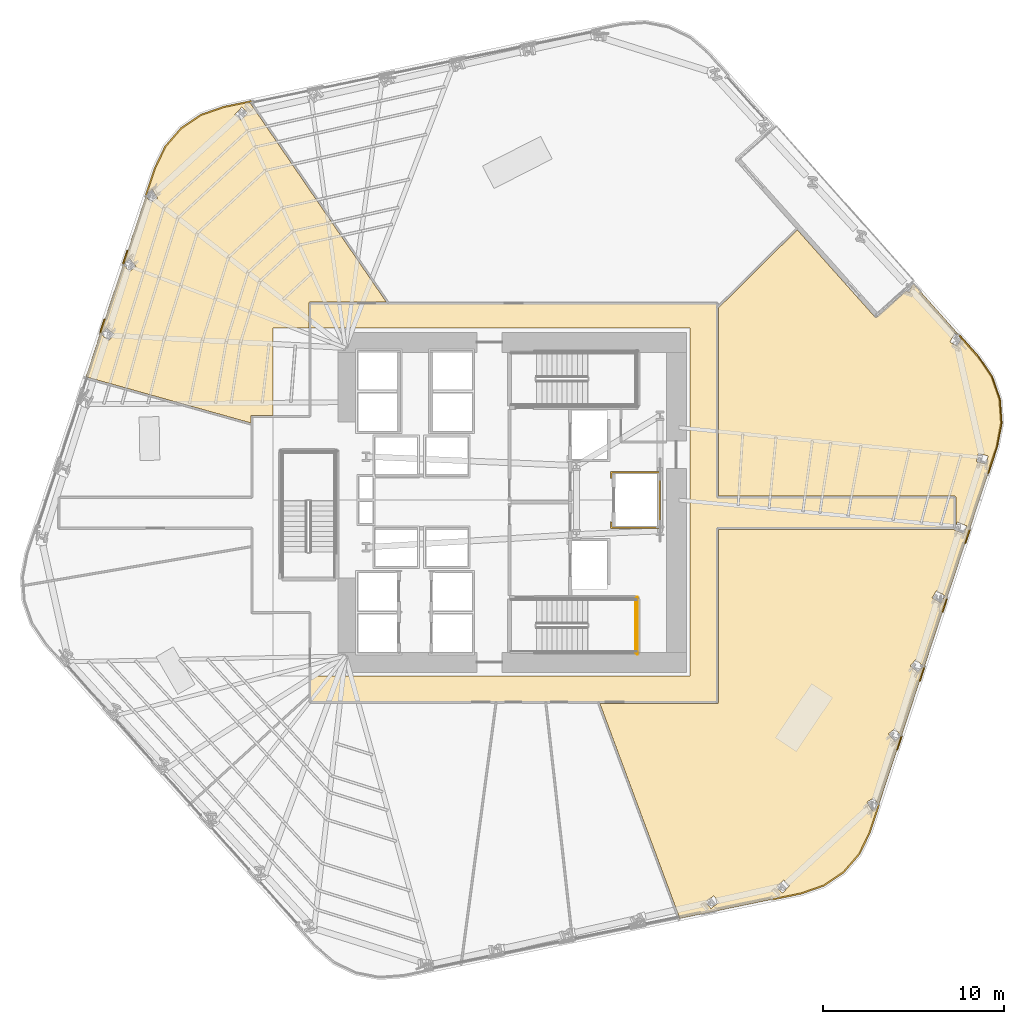
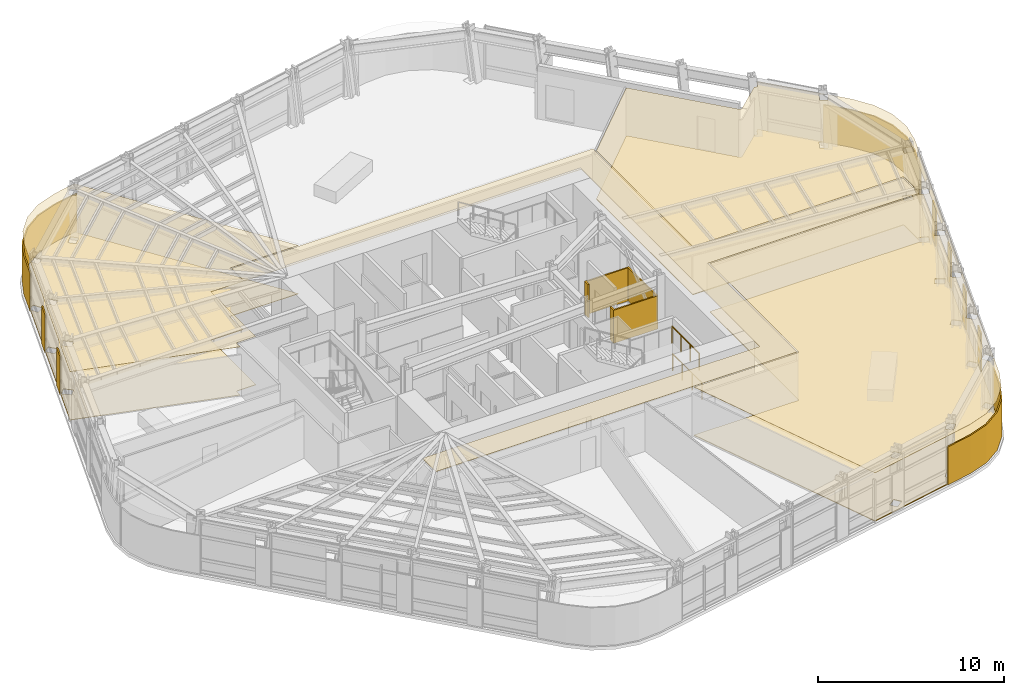
# One storey, part 14 of 17: 15 coverings, 2 railings.
"""IFC4 building model written with IfcOpenShell, lengths in metres."""

import ifcopenshell
import ifcopenshell.guid

model = None  # the IFC model being written
_history = None  # IfcOwnerHistory: only IFC2X3 demands one
_inside = {}  # id of a spatial element -> (the spatial element, [elements in it])
_under = {}  # id of a project, library or spatial element -> (it, [spatial elements below it])
_declared = {}  # id of a project -> (the project, [libraries it declares])
_typed = {}  # id of a type object -> (the type object, [elements of that type])
_made_of = {}  # id of a material, layer set ... -> (it, [elements and type objects made of it])


def new_model(schema):
    """Start an empty IFC model of exactly this schema.

    Asked for "IFC4X3", IfcOpenShell would pick the latest addendum, in which some entities
    have other attributes; the version numbers below select the first issue.
    IFC2X3 requires an IfcOwnerHistory on every rooted entity: one is made here for all.
    """
    global model, _history
    if schema == "IFC4X3":
        model = ifcopenshell.file(schema_version=(4, 3, 0, 0))
    else:
        model = ifcopenshell.file(schema=schema)
    _inside.clear()
    _under.clear()
    _declared.clear()
    _typed.clear()
    _made_of.clear()
    _history = None
    if model.schema == "IFC2X3":
        org = make("IfcOrganization", Name="unknown")
        user = make(
            "IfcPersonAndOrganization",
            ThePerson=make("IfcPerson", FamilyName="unknown"),
            TheOrganization=org,
        )
        app = make(
            "IfcApplication",
            ApplicationDeveloper=org,
            Version="unknown",
            ApplicationFullName="unknown",
            ApplicationIdentifier="unknown",
        )
        _history = make(
            "IfcOwnerHistory",
            OwningUser=user,
            OwningApplication=app,
            ChangeAction="ADDED",
            CreationDate=0,
        )
    return model


def make(cls, **values):
    """One entity of the class cls with the attributes given. An attribute that is None is left unset."""
    return model.create_entity(
        cls, **{name: value for name, value in values.items() if value is not None}
    )


def rooted(cls, **values):
    """An entity with a GlobalId (a new one), such as an element, a storey or a relation."""
    return make(cls, GlobalId=ifcopenshell.guid.new(), OwnerHistory=_history, **values)


def si_unit(unit_type, name, prefix=None):
    """IfcSIUnit, for example si_unit("LENGTHUNIT", "METRE", prefix="MILLI")."""
    return make("IfcSIUnit", UnitType=unit_type, Prefix=prefix, Name=name)


def assignment(units):
    """IfcUnitAssignment: the units of a project."""
    return None if units is None else make("IfcUnitAssignment", Units=units)


def point(xyz):
    """IfcCartesianPoint."""
    return None if xyz is None else make("IfcCartesianPoint", Coordinates=xyz)


def direction(xyz):
    """IfcDirection."""
    return None if xyz is None else make("IfcDirection", DirectionRatios=xyz)


def frame(location, z_axis=None, x_axis=None):
    """IfcAxis2Placement3D, a coordinate frame: its origin and axes. An axis left out is left unset."""
    return make(
        "IfcAxis2Placement3D",
        Location=point(location),
        Axis=direction(z_axis),
        RefDirection=direction(x_axis),
    )


def frame_2d(location, x_axis=None):
    """IfcAxis2Placement2D, a coordinate frame in the plane: its origin and x axis."""
    return make(
        "IfcAxis2Placement2D", Location=point(location), RefDirection=direction(x_axis)
    )


def origin():
    """The frame at (0, 0, 0) with its axes left unset."""
    return frame((0.0, 0.0, 0.0))


def origin_2d():
    """The frame at (0, 0) in the plane with its x axis left unset."""
    return frame_2d((0.0, 0.0))


def place(relative_to, where):
    """IfcLocalPlacement: puts the frame where relative to a parent placement (None: the world)."""
    return make(
        "IfcLocalPlacement", PlacementRelTo=relative_to, RelativePlacement=where
    )


def context(
    kind, dimensions, precision=None, world=None, true_north=None, identifier=None
):
    """IfcGeometricRepresentationContext, for example the 3D "Model" context."""
    return make(
        "IfcGeometricRepresentationContext",
        ContextIdentifier=identifier,
        ContextType=kind,
        CoordinateSpaceDimension=dimensions,
        Precision=precision,
        WorldCoordinateSystem=world,
        TrueNorth=true_north,
    )


def subcontext(parent, identifier, kind, view, scale=None):
    """IfcGeometricRepresentationSubContext, for example "Body" below "Model"."""
    return make(
        "IfcGeometricRepresentationSubContext",
        ContextIdentifier=identifier,
        ContextType=kind,
        ParentContext=parent,
        TargetScale=scale,
        TargetView=view,
    )


def project(units=None, contexts=None):
    """IfcProject with its units and contexts."""
    return rooted(
        "IfcProject",
        Name="project",
        RepresentationContexts=contexts,
        UnitsInContext=assignment(units),
    )


def spatial(cls, under=None, at=None, **own):
    """A site, building, storey or space (cls), placed at a placement, below another one or the project."""
    s = rooted(cls, ObjectPlacement=at, **own)
    if under is not None:
        _under.setdefault(under.id(), (under, []))[1].append(s)
    return s


def polyline(points):
    """IfcPolyline through the points."""
    return make("IfcPolyline", Points=[point(p) for p in points])


def profile(cls, at=None, kind="AREA", **sizes):
    """A parametric profile (cls). Its sizes go by their IFC names, for example OverallWidth=200.0."""
    return make(cls, ProfileType=kind, Position=at, **sizes)


def circle(**sizes):
    """IfcCircleProfileDef."""
    return profile("IfcCircleProfileDef", **sizes)


def outline(outer, holes=None, kind="AREA"):
    """IfcArbitraryClosedProfileDef: a profile drawn as a closed curve; with holes, ...WithVoids."""
    if holes is None:
        return make("IfcArbitraryClosedProfileDef", ProfileType=kind, OuterCurve=outer)
    return make(
        "IfcArbitraryProfileDefWithVoids",
        ProfileType=kind,
        OuterCurve=outer,
        InnerCurves=holes,
    )


def extrude(swept, where, along, depth):
    """IfcExtrudedAreaSolid: the profile swept, set in the frame where, extruded along a direction by depth."""
    return make(
        "IfcExtrudedAreaSolid",
        SweptArea=swept,
        Position=where,
        ExtrudedDirection=direction(along),
        Depth=depth,
    )


def shape(context_of_items, identifier, shape_type, items):
    """IfcShapeRepresentation: the items that make up one representation, for example the "Body"."""
    return make(
        "IfcShapeRepresentation",
        ContextOfItems=context_of_items,
        RepresentationIdentifier=identifier,
        RepresentationType=shape_type,
        Items=items,
    )


def material(Name=None, Category=None):
    """IfcMaterial."""
    return make("IfcMaterial", Name=Name, Category=Category)


def layer(
    of_material, thickness, ventilated=None, Name=None, Category=None, Priority=None
):
    """IfcMaterialLayer: one layer of a wall or slab, of a material (None: an air gap)."""
    return make(
        "IfcMaterialLayer",
        Material=of_material,
        LayerThickness=thickness,
        IsVentilated=ventilated,
        Name=Name,
        Category=Category,
        Priority=Priority,
    )


def layer_set(layers, Name=None):
    """IfcMaterialLayerSet."""
    return make("IfcMaterialLayerSet", MaterialLayers=layers, LayerSetName=Name)


def made_of(thing, what):
    """Note that an element or type object is made of a material, layer set ...; save() writes the relation."""
    if what is not None:
        _made_of.setdefault(what.id(), (what, []))[1].append(thing)
    return thing


def type_object(cls, material=None, **own):
    """A type object (cls), such as IfcWallType, which elements share."""
    return made_of(rooted(cls, **own), material)


def element(
    cls,
    number,
    at=None,
    inside=None,
    cuts=None,
    type_object=None,
    material=None,
    context=None,
    identifier="Body",
    shape_type=None,
    held_by="IfcProductDefinitionShape",
    body=None,
    shapes=None,
    **own,
):
    """One element of the class cls, such as IfcWall. Its Tag is "e" and its number.

    at: its placement. inside: the storey or other place that contains it. cuts: it is an
    opening in that element (IfcRelVoidsElement). A single representation is given by context,
    identifier, shape_type and body (its items); several are given by shapes. held_by: the class
    of the entity that holds the representations. save() writes the other relations.
    """
    e = rooted(cls, Tag="e%d" % number, ObjectPlacement=at, **own)
    if body is not None:
        shapes = [shape(context, identifier, shape_type, body)]
    if shapes is not None:
        e.Representation = make(held_by, Representations=shapes)
    if inside is not None:
        _inside.setdefault(inside.id(), (inside, []))[1].append(e)
    if cuts is not None:
        rooted(
            "IfcRelVoidsElement", RelatingBuildingElement=cuts, RelatedOpeningElement=e
        )
    if type_object is not None:
        _typed.setdefault(type_object.id(), (type_object, []))[1].append(e)
    return made_of(e, material)


def aggregate(whole, parts):
    """IfcRelAggregates: a whole, such as a stair, and the parts it consists of."""
    return rooted("IfcRelAggregates", RelatingObject=whole, RelatedObjects=parts)


def save(model, path):
    """Write the relations noted so far, then the file.

    IfcRelAggregates (storeys below a building ...), IfcRelContainedInSpatialStructure (elements
    in a storey), IfcRelDefinesByType, IfcRelAssociatesMaterial and IfcRelDeclares: one each for
    every whole, place, type object, material and project.
    """
    for whole, parts in _under.values():
        aggregate(whole, parts)
    for where, things in _inside.values():
        rooted(
            "IfcRelContainedInSpatialStructure",
            RelatedElements=things,
            RelatingStructure=where,
        )
    for kind, things in _typed.values():
        rooted("IfcRelDefinesByType", RelatedObjects=things, RelatingType=kind)
    for what, things in _made_of.values():
        rooted("IfcRelAssociatesMaterial", RelatedObjects=things, RelatingMaterial=what)
    for by, libraries in _declared.values():
        rooted("IfcRelDeclares", RelatingContext=by, RelatedDefinitions=libraries)
    model.write(path)


model = new_model("IFC4")

# Units and contexts
model_context = context("Model", 3, precision=1e-05, world=origin(), true_north=direction((0.0, 1.0)))
body_context = subcontext(model_context, "Body", "Model", "MODEL_VIEW")
ifc_project = project(units=[si_unit("LENGTHUNIT", "METRE"), si_unit("AREAUNIT", "SQUARE_METRE"), si_unit("VOLUMEUNIT", "CUBIC_METRE"), si_unit("PLANEANGLEUNIT", "RADIAN"), si_unit("MASSUNIT", "GRAM", prefix="KILO")], contexts=[model_context])

# Site, building, storey
site_placement = place(None, origin())
site = spatial("IfcSite", under=ifc_project, at=site_placement, CompositionType="ELEMENT")
building_placement = place(site_placement, origin())
building = spatial("IfcBuilding", under=site, at=building_placement, Name="Valkerne Bourse Tower", CompositionType="ELEMENT")
storey_placement = place(building_placement, frame((0.0, 0.0, 73.39990234375)))
storey = spatial("IfcBuildingStorey", under=building, at=storey_placement, Name="L18", CompositionType="ELEMENT", Elevation=73.39990234375)

# Coverings
ifc_material_1 = material(Name="Mineral Fiber Acoustic Ceiling Tile", Category="acoustic")
ifc_layer_1 = layer(ifc_material_1, 0.02490234375)
ifc_layer_set_1 = layer_set([ifc_layer_1], Name="Mineral Fiber Acoustic Ceiling Tile")
covering_type_1 = type_object("IfcCoveringType", Name="COV-CEIL-ACT", PredefinedType="CEILING", material=ifc_layer_set_1)
covering_1_placement = place(storey_placement, frame((0.0, 0.0, 3.170166015625)))
element("IfcCovering", 1, at=covering_1_placement, inside=storey, type_object=covering_type_1, Name="L18 Suspended Ceiling 07", PredefinedType="CEILING", context=body_context, shape_type="SweptSolid", body=[
    extrude(outline(polyline([(28.539306640625, 47.49560546875), (29.630615234375, 48.237060546875), (30.8857421875, 48.67431640625), (32.301513671875, 48.96875), (39.859619140625, 37.9189453125), (35.6494140625, 37.9189453125), (35.619873046875, 37.912109375), (35.593994140625, 37.890625), (35.5810546875, 37.8505859375), (35.5810546875, 36.5), (33.60009765625, 36.5), (33.60009765625, 31.668701171875), (32.43994140625, 31.66845703125), (32.399169921875, 31.64697265625), (32.381591796875, 31.610107421875), (32.381103515625, 31.256591796875), (23.283203125, 33.798095703125), (25.345947265625, 40.0166015625), (25.695556640625, 39.59912109375), (26.045654296875, 39.890380859375), (26.047607421875, 39.893310546875), (25.6904296875, 40.31982421875), (25.353515625, 40.03955078125), (26.604248046875, 43.809814453125), (26.846435546875, 43.412841796875), (27.23583984375, 43.6484375), (27.23828125, 43.6513671875), (26.94873046875, 44.126220703125), (26.649169921875, 43.945068359375), (27.098388671875, 45.2998046875), (27.677001953125, 46.49658203125), (28.539306640625, 47.49560546875)]), holes=[polyline([(24.84912109375, 36.14111328125), (24.427978515625, 36.5048828125), (24.129150390625, 36.160888671875), (24.127685546875, 36.15771484375), (24.548828125, 35.794189453125), (24.84765625, 36.137939453125), (24.84912109375, 36.14111328125)]), polyline([(32.2197265625, 48.35546875), (31.888916015625, 48.67138671875), (31.8857421875, 48.669189453125), (31.50439453125, 48.267822265625), (31.835693359375, 47.951904296875), (31.838623046875, 47.9541015625), (32.2197265625, 48.35546875)])]), origin(), (0.0, 0.0, 1.0), 0.02490234375),
])
covering_2_placement = place(storey_placement, frame((0.0, 0.0, 3.170166015625)))
element("IfcCovering", 2, at=covering_2_placement, inside=storey, type_object=covering_type_1, Name="L18 Suspended Ceiling 10", PredefinedType="CEILING", context=body_context, shape_type="SweptSolid", body=[
    extrude(outline(polyline([(73.527587890625, 29.945068359375), (67.007568359375, 10.170654296875), (66.753662109375, 10.587158203125), (66.364013671875, 10.3515625), (66.36181640625, 10.3486328125), (66.6513671875, 9.873779296875), (66.97412109375, 10.06884765625), (66.516845703125, 8.6826171875), (65.9384765625, 7.486083984375), (65.076416015625, 6.487060546875), (63.98486328125, 5.74560546875), (62.729736328125, 5.308349609375), (56.042724609375, 3.9296875), (51.63525390625, 15.781005859375), (58.1005859375, 15.781005859375), (58.130126953125, 15.787841796875), (58.156005859375, 15.809326171875), (58.1689453125, 15.849365234375), (58.1689453125, 25.381103515625), (71.18310546875, 25.381103515625), (71.177001953125, 25.365966796875), (71.176513671875, 25.3623046875), (71.6923828125, 25.153564453125), (71.864501953125, 25.5751953125), (71.86474609375, 25.578857421875), (71.34912109375, 25.78759765625), (71.268798828125, 25.59130859375), (71.268798828125, 27.153564453125), (71.2509765625, 27.197021484375), (71.2099609375, 27.218505859375), (58.1689453125, 27.218994140625), (58.1689453125, 37.58935546875), (62.520751953125, 41.902099609375), (66.757568359375, 37.146728515625), (66.802001953125, 37.11328125), (66.842529296875, 37.1005859375), (66.884765625, 37.10009765625), (66.92529296875, 37.1123046875), (66.96044921875, 37.13525390625), (68.518798828125, 38.523681640625), (68.69580078125, 38.45947265625), (68.818115234375, 38.790283203125), (68.947509765625, 38.905517578125), (71.48193359375, 36.055419921875), (71.207275390625, 36.205078125), (70.93896484375, 35.718994140625), (70.940185546875, 35.71533203125), (71.3408203125, 35.497314453125), (71.5849609375, 35.939697265625), (72.4990234375, 34.912109375), (73.24609375, 33.812744140625), (73.679931640625, 32.56640625), (73.776611328125, 31.25048828125), (73.527587890625, 29.945068359375)]), holes=[polyline([(58.1962890625, 4.816650390625), (57.915771484375, 5.17822265625), (57.91259765625, 5.176513671875), (57.4755859375, 4.836181640625), (57.756103515625, 4.474853515625), (57.75927734375, 4.476318359375), (58.1962890625, 4.816650390625)]), polyline([(61.71435546875, 5.330810546875), (62.095458984375, 5.732177734375), (61.764404296875, 6.048095703125), (61.76123046875, 6.0458984375), (61.380126953125, 5.64453125), (61.711181640625, 5.32861328125), (61.71435546875, 5.330810546875)]), polyline([(68.261474609375, 13.974365234375), (67.904296875, 14.40087890625), (67.55419921875, 14.109619140625), (67.552490234375, 14.106689453125), (67.909423828125, 13.68017578125), (68.259521484375, 13.971435546875), (68.261474609375, 13.974365234375)]), polyline([(69.470703125, 17.839111328125), (69.47216796875, 17.84228515625), (69.051025390625, 18.205810546875), (68.752197265625, 17.862060546875), (68.7509765625, 17.85888671875), (69.172119140625, 17.4951171875), (69.470703125, 17.839111328125)]), polyline([(70.67236328125, 21.70849609375), (70.673095703125, 21.7119140625), (70.197998046875, 22.001220703125), (69.9599609375, 21.61279296875), (69.959228515625, 21.609375), (70.434326171875, 21.320068359375), (70.67236328125, 21.70849609375)]), polyline([(73.0498046875, 29.435302734375), (73.049560546875, 29.43896484375), (72.508544921875, 29.568603515625), (72.40087890625, 29.126220703125), (72.401123046875, 29.12255859375), (72.942138671875, 28.992919921875), (73.0498046875, 29.435302734375)])]), origin(), (0.0, 0.0, 1.0), 0.02490234375),
])
ifc_material_2 = material(Name="Bronze Anodised Aluminium AA 6063-T6", Category="aluminium")
ifc_layer_2 = layer(ifc_material_2, 0.030029296875)
ifc_layer_set_2 = layer_set([ifc_layer_2], Name="Bronze Anodised Aluminium AA 6063-T6")
covering_type_2 = type_object("IfcCoveringType", Name="COV-CEIL-METAL", PredefinedType="CEILING", material=ifc_layer_set_2)
covering_3_placement = place(storey_placement, frame((0.0, 0.0, 3.170166015625)))
element("IfcCovering", 3, at=covering_3_placement, inside=storey, type_object=covering_type_2, Name="L18 Suspended Ceiling 01", PredefinedType="CEILING", context=body_context, shape_type="SweptSolid", body=[
    extrude(outline(polyline([(71.196044921875, 27.14599609375), (71.196044921875, 25.4541015625), (58.095947265625, 25.4541015625), (58.095947265625, 15.85400390625), (35.654052734375, 15.85400390625), (35.654052734375, 17.300048828125), (56.60009765625, 17.300048828125), (56.60009765625, 36.5), (35.654052734375, 36.5), (35.654052734375, 37.845947265625), (58.095947265625, 37.845947265625), (58.095947265625, 27.14599609375), (71.196044921875, 27.14599609375)])), origin(), (0.0, 0.0, 1.0), 0.02490234375),
])
ifc_layer_3 = layer(ifc_material_2, 0.06005859375)
ifc_layer_set_3 = layer_set([ifc_layer_3], Name="Bronze Anodised Aluminium AA 6063-T6")
covering_type_3 = type_object("IfcCoveringType", Name="COV-CRN-ALUM", PredefinedType="CLADDING", material=ifc_layer_set_3)
covering_4_placement = place(storey_placement, origin())
element("IfcCovering", 4, at=covering_4_placement, inside=storey, type_object=covering_type_3, Name="L18 Wind-Shaped Corner Aluminium Cladding 01", PredefinedType="CLADDING", context=body_context, shape_type="SweptSolid", body=[
    extrude(outline(polyline([(73.723388671875, 32.575439453125), (73.82080078125, 31.248046875), (73.5703125, 29.933837890625), (73.0625, 28.394287109375), (72.98681640625, 28.41943359375), (73.49267578125, 29.9541015625), (73.740234375, 31.252685546875), (73.644287109375, 32.55908203125), (73.213623046875, 33.79638671875), (72.470458984375, 34.889892578125), (71.396484375, 36.097412109375), (71.456298828125, 36.150390625), (72.53369140625, 34.939208984375), (73.28564453125, 33.832763671875), (73.723388671875, 32.575439453125)])), origin(), (0.0, 0.0, 1.0), 2.5),
])
covering_5_placement = place(storey_placement, origin())
element("IfcCovering", 5, at=covering_5_placement, inside=storey, type_object=covering_type_3, Name="L18 Wind-Shaped Corner Aluminium Cladding 02", PredefinedType="CLADDING", context=body_context, shape_type="SweptSolid", body=[
    extrude(outline(polyline([(71.811279296875, 24.59912109375), (71.7353515625, 24.624267578125), (71.998291015625, 25.422119140625), (72.074462890625, 25.39697265625), (71.811279296875, 24.59912109375)])), origin(), (0.0, 0.0, 1.0), 2.5),
])
covering_6_placement = place(storey_placement, origin())
element("IfcCovering", 6, at=covering_6_placement, inside=storey, type_object=covering_type_3, Name="L18 Wind-Shaped Corner Aluminium Cladding 03", PredefinedType="CLADDING", context=body_context, shape_type="SweptSolid", body=[
    extrude(outline(polyline([(70.56005859375, 20.80419921875), (70.48388671875, 20.829345703125), (70.7470703125, 21.626953125), (70.822998046875, 21.601806640625), (70.56005859375, 20.80419921875)])), origin(), (0.0, 0.0, 1.0), 2.5),
])
covering_7_placement = place(storey_placement, origin())
element("IfcCovering", 7, at=covering_7_placement, inside=storey, type_object=covering_type_3, Name="L18 Wind-Shaped Corner Aluminium Cladding 04", PredefinedType="CLADDING", context=body_context, shape_type="SweptSolid", body=[
    extrude(outline(polyline([(69.30859375, 17.009033203125), (69.232666015625, 17.0341796875), (69.495849609375, 17.83203125), (69.57177734375, 17.806884765625), (69.30859375, 17.009033203125)])), origin(), (0.0, 0.0, 1.0), 2.5),
])
covering_8_placement = place(storey_placement, origin())
element("IfcCovering", 8, at=covering_8_placement, inside=storey, type_object=covering_type_3, Name="L18 Wind-Shaped Corner Aluminium Cladding 05", PredefinedType="CLADDING", context=body_context, shape_type="SweptSolid", body=[
    extrude(outline(polyline([(68.057373046875, 13.214111328125), (67.9814453125, 13.2392578125), (68.244384765625, 14.037109375), (68.3203125, 14.011962890625), (68.057373046875, 13.214111328125)])), origin(), (0.0, 0.0, 1.0), 2.5),
])
covering_9_placement = place(storey_placement, origin())
element("IfcCovering", 9, at=covering_9_placement, inside=storey, type_object=covering_type_3, Name="L18 Wind-Shaped Corner Aluminium Cladding 06", PredefinedType="CLADDING", context=body_context, shape_type="SweptSolid", body=[
    extrude(outline(polyline([(66.557861328125, 8.666015625), (65.9755859375, 7.461669921875), (65.105712890625, 6.4541015625), (64.0048828125, 5.705810546875), (62.741455078125, 5.265869140625), (61.142333984375, 4.936279296875), (61.126220703125, 5.0146484375), (62.72021484375, 5.34326171875), (63.968505859375, 5.77783203125), (65.052001953125, 6.514404296875), (65.908203125, 7.506103515625), (66.4833984375, 8.696044921875), (66.9931640625, 10.241943359375), (67.069091796875, 10.216796875), (66.557861328125, 8.666015625)])), origin(), (0.0, 0.0, 1.0), 2.5),
])
covering_10_placement = place(storey_placement, origin())
element("IfcCovering", 10, at=covering_10_placement, inside=storey, type_object=covering_type_3, Name="L18 Wind-Shaped Corner Aluminium Cladding 19", PredefinedType="CLADDING", context=body_context, shape_type="SweptSolid", body=[
    extrude(outline(polyline([(24.29541015625, 36.989501953125), (24.371337890625, 36.96435546875), (24.10693359375, 36.1669921875), (24.031005859375, 36.192138671875), (24.29541015625, 36.989501953125)])), origin(), (0.0, 0.0, 1.0), 2.5),
])
covering_11_placement = place(storey_placement, origin())
element("IfcCovering", 11, at=covering_11_placement, inside=storey, type_object=covering_type_3, Name="L18 Wind-Shaped Corner Aluminium Cladding 20", PredefinedType="CLADDING", context=body_context, shape_type="SweptSolid", body=[
    extrude(outline(polyline([(25.5537109375, 40.7822265625), (25.62939453125, 40.757080078125), (25.364990234375, 39.9599609375), (25.2890625, 39.985107421875), (25.5537109375, 40.7822265625)])), origin(), (0.0, 0.0, 1.0), 2.5),
])
covering_12_placement = place(storey_placement, origin())
element("IfcCovering", 12, at=covering_12_placement, inside=storey, type_object=covering_type_3, Name="L18 Wind-Shaped Corner Aluminium Cladding 21", PredefinedType="CLADDING", context=body_context, shape_type="SweptSolid", body=[
    extrude(outline(polyline([(27.0576171875, 45.31640625), (27.639892578125, 46.52099609375), (28.509765625, 47.528564453125), (29.610595703125, 48.27685546875), (30.8740234375, 48.716796875), (32.461181640625, 49.046875), (32.477294921875, 48.968505859375), (30.8955078125, 48.639404296875), (29.64697265625, 48.20458984375), (28.5634765625, 47.46826171875), (27.707275390625, 46.4765625), (27.132080078125, 45.286376953125), (26.623291015625, 43.752685546875), (26.547119140625, 43.777587890625), (27.0576171875, 45.31640625)])), origin(), (0.0, 0.0, 1.0), 2.5),
])
ifc_material_3 = material(Name="Galvanised Painted Steel", Category="steel")
ifc_layer_4 = layer(ifc_material_3, 0.044921875)
ifc_layer_set_4 = layer_set([ifc_layer_4], Name="Galvanised Painted Steel")
covering_type_4 = type_object("IfcCoveringType", Name="COV-FLR-RAF", PredefinedType="FLOORING", material=ifc_layer_set_4)
covering_13_placement = place(storey_placement, origin())
element("IfcCovering", 13, at=covering_13_placement, inside=storey, type_object=covering_type_4, Name="L18 Floor Finish 10", PredefinedType="FLOORING", context=body_context, shape_type="SweptSolid", body=[
    extrude(outline(polyline([(73.527587890625, 29.945068359375), (67.007568359375, 10.170654296875), (66.753662109375, 10.587158203125), (66.364013671875, 10.3515625), (66.36181640625, 10.3486328125), (66.6513671875, 9.873779296875), (66.97412109375, 10.06884765625), (66.516845703125, 8.6826171875), (65.9384765625, 7.486083984375), (65.076416015625, 6.487060546875), (63.98486328125, 5.74560546875), (62.729736328125, 5.308349609375), (56.042724609375, 3.9296875), (51.63525390625, 15.781005859375), (58.1005859375, 15.781005859375), (58.130126953125, 15.787841796875), (58.156005859375, 15.809326171875), (58.1689453125, 15.849365234375), (58.1689453125, 25.381103515625), (71.18310546875, 25.381103515625), (71.177001953125, 25.365966796875), (71.176513671875, 25.3623046875), (71.6923828125, 25.153564453125), (71.864501953125, 25.5751953125), (71.86474609375, 25.578857421875), (71.34912109375, 25.78759765625), (71.268798828125, 25.59130859375), (71.268798828125, 27.153564453125), (71.2509765625, 27.197021484375), (71.2099609375, 27.218505859375), (58.1689453125, 27.218994140625), (58.1689453125, 37.58935546875), (62.520751953125, 41.902099609375), (66.757568359375, 37.146728515625), (66.802001953125, 37.11328125), (66.842529296875, 37.1005859375), (66.884765625, 37.10009765625), (66.92529296875, 37.1123046875), (66.96044921875, 37.13525390625), (68.518798828125, 38.523681640625), (68.69580078125, 38.45947265625), (68.818115234375, 38.790283203125), (68.947509765625, 38.905517578125), (71.48193359375, 36.055419921875), (71.207275390625, 36.205078125), (70.93896484375, 35.718994140625), (70.940185546875, 35.71533203125), (71.3408203125, 35.497314453125), (71.5849609375, 35.939697265625), (72.4990234375, 34.912109375), (73.24609375, 33.812744140625), (73.679931640625, 32.56640625), (73.776611328125, 31.25048828125), (73.527587890625, 29.945068359375)]), holes=[polyline([(58.1962890625, 4.816650390625), (57.915771484375, 5.17822265625), (57.91259765625, 5.176513671875), (57.4755859375, 4.836181640625), (57.756103515625, 4.474853515625), (57.75927734375, 4.476318359375), (58.1962890625, 4.816650390625)]), polyline([(61.71435546875, 5.330810546875), (62.095458984375, 5.732177734375), (61.764404296875, 6.048095703125), (61.76123046875, 6.0458984375), (61.380126953125, 5.64453125), (61.711181640625, 5.32861328125), (61.71435546875, 5.330810546875)]), polyline([(68.261474609375, 13.974365234375), (67.904296875, 14.40087890625), (67.55419921875, 14.109619140625), (67.552490234375, 14.106689453125), (67.909423828125, 13.68017578125), (68.259521484375, 13.971435546875), (68.261474609375, 13.974365234375)]), polyline([(69.470703125, 17.839111328125), (69.47216796875, 17.84228515625), (69.051025390625, 18.205810546875), (68.752197265625, 17.862060546875), (68.7509765625, 17.85888671875), (69.172119140625, 17.4951171875), (69.470703125, 17.839111328125)]), polyline([(70.67236328125, 21.70849609375), (70.673095703125, 21.7119140625), (70.197998046875, 22.001220703125), (69.9599609375, 21.61279296875), (69.959228515625, 21.609375), (70.434326171875, 21.320068359375), (70.67236328125, 21.70849609375)]), polyline([(73.0498046875, 29.435302734375), (73.049560546875, 29.43896484375), (72.508544921875, 29.568603515625), (72.40087890625, 29.126220703125), (72.401123046875, 29.12255859375), (72.942138671875, 28.992919921875), (73.0498046875, 29.435302734375)])]), origin(), (0.0, 0.0, 1.0), 0.045166015625),
])
ifc_material_4 = material(Name="Polished Granite Stone", Category="masonry")
ifc_layer_5 = layer(ifc_material_4, 0.030029296875)
ifc_layer_set_5 = layer_set([ifc_layer_5], Name="Polished Granite Stone")
covering_type_5 = type_object("IfcCoveringType", Name="COV-FLR-TERRAZZO", PredefinedType="FLOORING", material=ifc_layer_set_5)
covering_14_placement = place(storey_placement, origin())
element("IfcCovering", 14, at=covering_14_placement, inside=storey, type_object=covering_type_5, Name="L18 Floor Finish 07", PredefinedType="FLOORING", context=body_context, shape_type="SweptSolid", body=[
    extrude(outline(polyline([(28.539306640625, 47.49560546875), (29.630615234375, 48.237060546875), (30.8857421875, 48.67431640625), (32.301513671875, 48.96875), (39.859619140625, 37.9189453125), (35.6494140625, 37.9189453125), (35.619873046875, 37.912109375), (35.593994140625, 37.890625), (35.5810546875, 37.8505859375), (35.5810546875, 36.5), (33.60009765625, 36.5), (33.60009765625, 31.668701171875), (32.43994140625, 31.66845703125), (32.399169921875, 31.64697265625), (32.381591796875, 31.610107421875), (32.381103515625, 31.256591796875), (23.283203125, 33.798095703125), (25.345947265625, 40.0166015625), (25.695556640625, 39.59912109375), (26.045654296875, 39.890380859375), (26.047607421875, 39.893310546875), (25.6904296875, 40.31982421875), (25.353515625, 40.03955078125), (26.604248046875, 43.809814453125), (26.846435546875, 43.412841796875), (27.23583984375, 43.6484375), (27.23828125, 43.6513671875), (26.94873046875, 44.126220703125), (26.649169921875, 43.945068359375), (27.098388671875, 45.2998046875), (27.677001953125, 46.49658203125), (28.539306640625, 47.49560546875)]), holes=[polyline([(24.84912109375, 36.14111328125), (24.427978515625, 36.5048828125), (24.129150390625, 36.160888671875), (24.127685546875, 36.15771484375), (24.548828125, 35.794189453125), (24.84765625, 36.137939453125), (24.84912109375, 36.14111328125)]), polyline([(32.2197265625, 48.35546875), (31.888916015625, 48.67138671875), (31.8857421875, 48.669189453125), (31.50439453125, 48.267822265625), (31.835693359375, 47.951904296875), (31.838623046875, 47.9541015625), (32.2197265625, 48.35546875)])]), origin(), (0.0, 0.0, 1.0), 0.030029296875),
])
ifc_material_5 = material(Name="Gypsum Shaftwall Liner Board", Category="gypsum")
ifc_layer_6 = layer(ifc_material_5, 0.080078125)
ifc_layer_set_6 = layer_set([ifc_layer_6], Name="Gypsum Shaftwall Liner Board")
covering_type_6 = type_object("IfcCoveringType", Name="COV-SHF-CLAD", PredefinedType="CLADDING", material=ifc_layer_set_6)
covering_15_placement = place(storey_placement, origin())
element("IfcCovering", 15, at=covering_15_placement, inside=storey, type_object=covering_type_6, Name="L18 Hoistway & Riser Shaftwall Liner 08", PredefinedType="CLADDING", context=body_context, shape_type="SweptSolid", body=[
    extrude(outline(polyline([(54.97998046875, 25.419921875), (52.219970703125, 25.419921875), (52.219970703125, 25.81787109375), (52.227783203125, 25.814208984375), (52.269287109375, 25.79931640625), (52.31005859375, 25.789306640625), (52.31005859375, 25.510009765625), (54.889892578125, 25.510009765625), (54.889892578125, 28.489990234375), (52.31005859375, 28.489990234375), (52.31005859375, 28.210693359375), (52.269287109375, 28.20068359375), (52.227783203125, 28.185791015625), (52.219970703125, 28.18212890625), (52.219970703125, 28.580078125), (54.97998046875, 28.580078125), (54.97998046875, 25.419921875)])), origin(), (0.0, 0.0, 1.0), 2.18017578125),
])

# Railings
railing_type = type_object("IfcRailingType", Name="RLG-ST-GUARD-1120", PredefinedType="GUARDRAIL", material=ifc_material_3)
railing_1_placement = place(storey_placement, frame((53.60009765625, 18.60009765625, 1.900146484375)))
element("IfcRailing", 16, at=railing_1_placement, inside=storey, type_object=railing_type, Name="L18 ST-1 stair guard 5", PredefinedType="GUARDRAIL", context=body_context, shape_type="SweptSolid", body=[
    extrude(circle(Radius=0.02392578125, at=origin_2d()), frame((0.0, 0.0, 1.09619140625), z_axis=(0.0, 1.0, 0.0), x_axis=(-1.0, 0.0, 0.0)), (0.0, 0.0, 1.0), 2.949951171875),
    extrude(circle(Radius=0.02099609375, at=origin_2d()), origin(), (0.0, 0.0, 1.0), 1.072021484375),
    extrude(circle(Radius=0.02099609375, at=origin_2d()), frame((0.0, 0.9833984375, 0.0)), (0.0, 0.0, 1.0), 1.072021484375),
    extrude(circle(Radius=0.02099609375, at=origin_2d()), frame((0.0, 1.966552734375, 0.0)), (0.0, 0.0, 1.0), 1.072021484375),
    extrude(circle(Radius=0.02099609375, at=origin_2d()), frame((0.0, 2.949951171875, 0.0)), (0.0, 0.0, 1.0), 1.072021484375),
])
railing_2_placement = place(storey_placement, frame((53.699951171875, 18.5, 0.0)))
element("IfcRailing", 17, at=railing_2_placement, inside=storey, type_object=railing_type, Name="L18 ST-1 stair guard 12", PredefinedType="GUARDRAIL", context=body_context, shape_type="SweptSolid", body=[
    extrude(circle(Radius=0.02392578125, at=origin_2d()), frame((0.0, 0.0, 1.09619140625), z_axis=(0.0, 1.0, 0.0), x_axis=(-1.0, 0.0, 0.0)), (0.0, 0.0, 1.0), 3.14990234375),
    extrude(circle(Radius=0.02099609375, at=origin_2d()), origin(), (0.0, 0.0, 1.0), 1.072021484375),
    extrude(circle(Radius=0.02099609375, at=origin_2d()), frame((0.0, 1.050048828125, 0.0)), (0.0, 0.0, 1.0), 1.072021484375),
    extrude(circle(Radius=0.02099609375, at=origin_2d()), frame((0.0, 2.099853515625, 0.0)), (0.0, 0.0, 1.0), 1.072021484375),
    extrude(circle(Radius=0.02099609375, at=origin_2d()), frame((0.0, 3.14990234375, 0.0)), (0.0, 0.0, 1.0), 1.072021484375),
])

save(model, "model.ifc")
